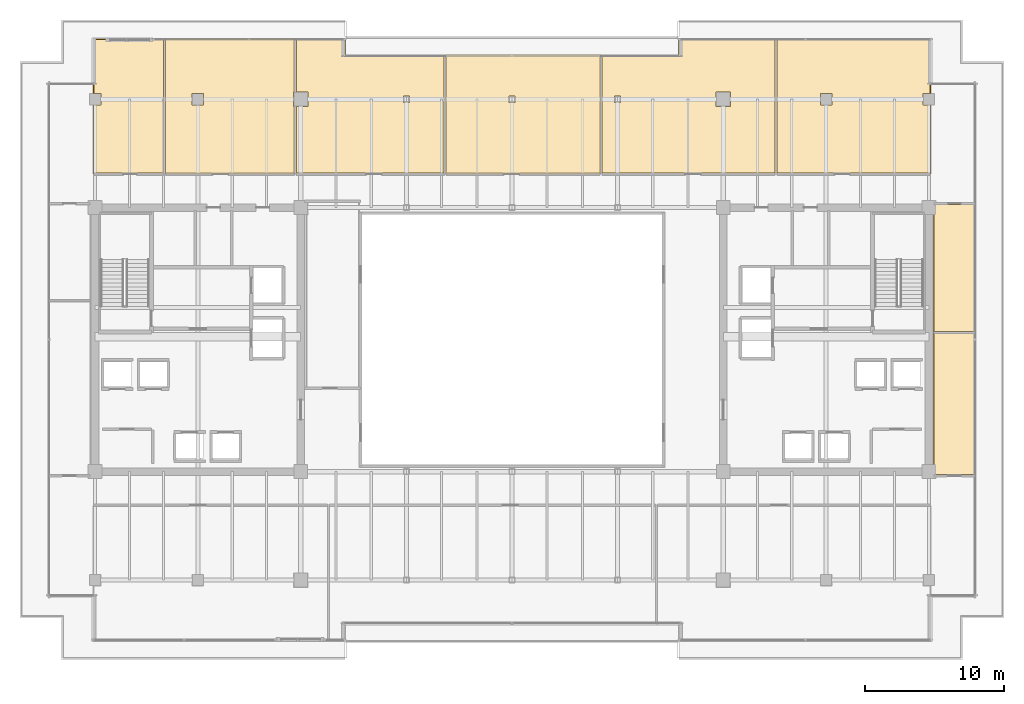
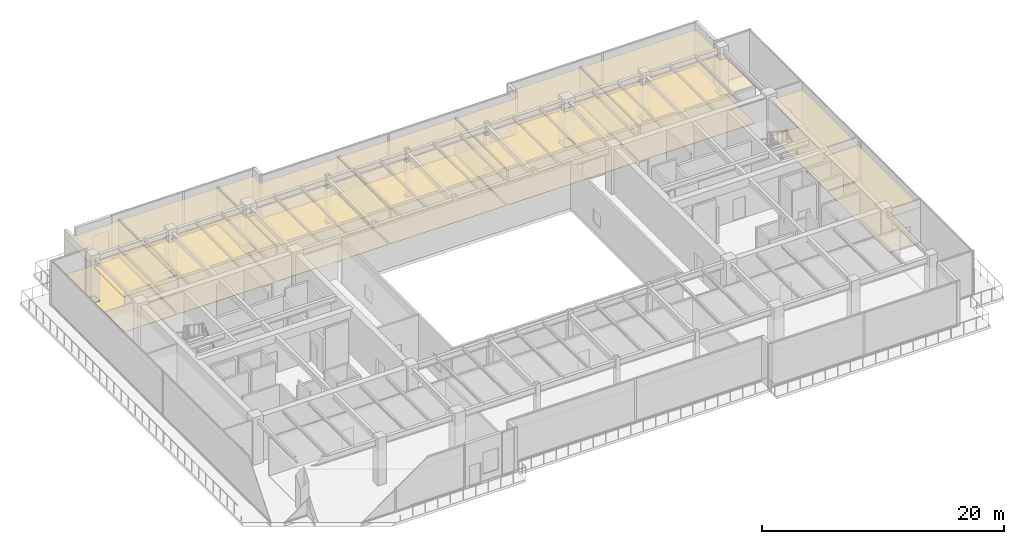
# One storey, part 37 of 37: 16 coverings.
"""IFC4 building model written with IfcOpenShell, lengths in metres."""

from ifc_helpers import new_model, si_unit, direction, frame, origin, place, context, subcontext, project, spatial, polyline, outline, extrude, material, layer, layer_set, type_object, element, save


model = new_model("IFC4")

# Units and contexts
model_context = context("Model", 3, precision=1e-05, world=origin(), true_north=direction((0.0, 1.0)))
body_context = subcontext(model_context, "Body", "Model", "MODEL_VIEW")
ifc_project = project(units=[si_unit("LENGTHUNIT", "METRE"), si_unit("AREAUNIT", "SQUARE_METRE"), si_unit("VOLUMEUNIT", "CUBIC_METRE"), si_unit("PLANEANGLEUNIT", "RADIAN"), si_unit("MASSUNIT", "GRAM", prefix="KILO")], contexts=[model_context])

# Site, building, storey
site_placement = place(None, origin())
site = spatial("IfcSite", under=ifc_project, at=site_placement, CompositionType="ELEMENT")
building_placement = place(site_placement, origin())
building = spatial("IfcBuilding", under=site, at=building_placement, Name="Haelvirn Gate Laboratories", CompositionType="ELEMENT")
storey_placement = place(building_placement, frame((0.0, 0.0, 196.60009765625)))
storey = spatial("IfcBuildingStorey", under=building, at=storey_placement, Name="L47", CompositionType="ELEMENT", Elevation=196.60009765625)

# Coverings
ifc_material_1 = material(Name="Washable cleanroom gasketed aluminium ceiling", Category="aluminium")
ifc_layer_1 = layer(ifc_material_1, 0.050048828125, Name="COV-CEIL-CLN")
ifc_layer_set_1 = layer_set([ifc_layer_1], Name="Washable cleanroom gasketed aluminium ceiling")
covering_type_1 = type_object("IfcCoveringType", Name="COV-CEIL-CLN", PredefinedType="CEILING", material=ifc_layer_set_1)
covering_1_placement = place(storey_placement, frame((0.0, 0.0, 3.56982421875)))
element("IfcCovering", 1, at=covering_1_placement, inside=storey, type_object=covering_type_1, Name="L47 Laboratory Acoustic Ceiling CEIL-SP-L47-N-01", PredefinedType="CEILING", context=body_context, shape_type="SweptSolid", body=[
    extrude(outline(polyline([(7.25, 45.949951171875), (12.3798828125, 45.949951171875), (12.3798828125, 36.219970703125), (7.25, 36.219970703125), (7.25, 41.179931640625), (7.820068359375, 41.179931640625), (7.820068359375, 42.02001953125), (7.25, 42.02001953125), (7.25, 45.949951171875)])), origin(), (0.0, 0.0, 1.0), 0.050048828125),
])
covering_2_placement = place(storey_placement, frame((0.0, 0.0, 3.56982421875)))
element("IfcCovering", 2, at=covering_2_placement, inside=storey, type_object=covering_type_1, Name="L47 Laboratory Acoustic Ceiling CEIL-SP-L47-N-02", PredefinedType="CEILING", context=body_context, shape_type="SweptSolid", body=[
    extrude(outline(polyline([(21.780029296875, 36.219970703125), (12.419921875, 36.219970703125), (12.419921875, 45.949951171875), (21.780029296875, 45.949951171875), (21.780029296875, 42.1201171875), (21.679931640625, 42.1201171875), (21.679931640625, 41.080078125), (21.780029296875, 41.080078125), (21.780029296875, 36.219970703125)]), holes=[polyline([(14.3798828125, 42.02001953125), (14.3798828125, 41.179931640625), (15.219970703125, 41.179931640625), (15.219970703125, 42.02001953125), (14.3798828125, 42.02001953125)])]), origin(), (0.0, 0.0, 1.0), 0.050048828125),
])
covering_3_placement = place(storey_placement, frame((0.0, 0.0, 3.56982421875)))
element("IfcCovering", 3, at=covering_3_placement, inside=storey, type_object=covering_type_1, Name="L47 Laboratory Acoustic Ceiling CEIL-SP-L47-N-03", PredefinedType="CEILING", context=body_context, shape_type="SweptSolid", body=[
    extrude(outline(polyline([(25.419921875, 45.949951171875), (25.419921875, 44.820068359375), (32.580078125, 44.820068359375), (32.580078125, 36.219970703125), (21.820068359375, 36.219970703125), (21.820068359375, 41.080078125), (22.719970703125, 41.080078125), (22.719970703125, 42.1201171875), (21.820068359375, 42.1201171875), (21.820068359375, 45.949951171875), (25.419921875, 45.949951171875)]), holes=[polyline([(30.02001953125, 41.820068359375), (29.580078125, 41.820068359375), (29.580078125, 41.3798828125), (30.02001953125, 41.3798828125), (30.02001953125, 41.820068359375)])]), origin(), (0.0, 0.0, 1.0), 0.050048828125),
])
covering_4_placement = place(storey_placement, frame((0.0, 0.0, 3.56982421875)))
element("IfcCovering", 4, at=covering_4_placement, inside=storey, type_object=covering_type_1, Name="L47 Laboratory Acoustic Ceiling CEIL-SP-L47-N-04", PredefinedType="CEILING", context=body_context, shape_type="SweptSolid", body=[
    extrude(outline(polyline([(43.780029296875, 44.820068359375), (43.780029296875, 36.219970703125), (32.6201171875, 36.219970703125), (32.6201171875, 44.820068359375), (43.780029296875, 44.820068359375)]), holes=[polyline([(37.6201171875, 41.820068359375), (37.179931640625, 41.820068359375), (37.179931640625, 41.3798828125), (37.6201171875, 41.3798828125), (37.6201171875, 41.820068359375)])]), origin(), (0.0, 0.0, 1.0), 0.050048828125),
])
covering_5_placement = place(storey_placement, frame((0.0, 0.0, 3.56982421875)))
element("IfcCovering", 5, at=covering_5_placement, inside=storey, type_object=covering_type_1, Name="L47 Laboratory Acoustic Ceiling CEIL-SP-L47-N-05", PredefinedType="CEILING", context=body_context, shape_type="SweptSolid", body=[
    extrude(outline(polyline([(49.3798828125, 45.949951171875), (56.3798828125, 45.949951171875), (56.3798828125, 36.219970703125), (43.820068359375, 36.219970703125), (43.820068359375, 44.820068359375), (49.3798828125, 44.820068359375), (49.3798828125, 45.949951171875)]), holes=[polyline([(52.080078125, 42.1201171875), (52.080078125, 41.080078125), (53.1201171875, 41.080078125), (53.1201171875, 42.1201171875), (52.080078125, 42.1201171875)]), polyline([(45.219970703125, 41.820068359375), (44.780029296875, 41.820068359375), (44.780029296875, 41.3798828125), (45.219970703125, 41.3798828125), (45.219970703125, 41.820068359375)])]), origin(), (0.0, 0.0, 1.0), 0.050048828125),
])
covering_6_placement = place(storey_placement, frame((0.0, 0.0, 3.56982421875)))
element("IfcCovering", 6, at=covering_6_placement, inside=storey, type_object=covering_type_1, Name="L47 Laboratory Acoustic Ceiling CEIL-SP-L47-N-06", PredefinedType="CEILING", context=body_context, shape_type="SweptSolid", body=[
    extrude(outline(polyline([(67.550048828125, 36.219970703125), (56.419921875, 36.219970703125), (56.419921875, 45.949951171875), (67.550048828125, 45.949951171875), (67.550048828125, 42.02001953125), (66.97998046875, 42.02001953125), (66.97998046875, 41.179931640625), (67.550048828125, 41.179931640625), (67.550048828125, 36.219970703125)]), holes=[polyline([(59.580078125, 42.02001953125), (59.580078125, 41.179931640625), (60.419921875, 41.179931640625), (60.419921875, 42.02001953125), (59.580078125, 42.02001953125)])]), origin(), (0.0, 0.0, 1.0), 0.050048828125),
])
covering_7_placement = place(storey_placement, frame((0.0, 0.0, 3.56982421875)))
element("IfcCovering", 7, at=covering_7_placement, inside=storey, type_object=covering_type_1, Name="L47 Laboratory Acoustic Ceiling CEIL-SP-L47-EZ3-S", PredefinedType="CEILING", context=body_context, shape_type="SweptSolid", body=[
    extrude(outline(polyline([(70.75, 24.7900390625), (70.75, 14.52490234375), (67.919921875, 14.52490234375), (67.919921875, 15.320068359375), (67.719970703125, 15.320068359375), (67.719970703125, 24.7900390625), (70.75, 24.7900390625)])), origin(), (0.0, 0.0, 1.0), 0.050048828125),
])
covering_8_placement = place(storey_placement, frame((0.0, 0.0, 3.56982421875)))
element("IfcCovering", 8, at=covering_8_placement, inside=storey, type_object=covering_type_1, Name="L47 Laboratory Acoustic Ceiling CEIL-SP-L47-EZ3-N", PredefinedType="CEILING", context=body_context, shape_type="SweptSolid", body=[
    extrude(outline(polyline([(70.75, 34.074951171875), (70.75, 24.81005859375), (67.719970703125, 24.81005859375), (67.719970703125, 33.280029296875), (67.919921875, 33.280029296875), (67.919921875, 34.074951171875), (70.75, 34.074951171875)])), origin(), (0.0, 0.0, 1.0), 0.050048828125),
])
ifc_material_2 = material(Name="Honed granite concourse terrazzo flooring", Category="masonry")
ifc_layer_2 = layer(ifc_material_2, 0.02490234375, Name="COV-FLR-TERRA")
ifc_layer_set_2 = layer_set([ifc_layer_2], Name="Honed granite concourse terrazzo flooring")
covering_type_2 = type_object("IfcCoveringType", Name="COV-FLR-TERRA", PredefinedType="FLOORING", material=ifc_layer_set_2)
covering_9_placement = place(storey_placement, origin())
element("IfcCovering", 9, at=covering_9_placement, inside=storey, type_object=covering_type_2, Name="L47 Seamless Laboratory Flooring FLR-SP-L47-N-01", PredefinedType="FLOORING", context=body_context, shape_type="SweptSolid", body=[
    extrude(outline(polyline([(7.820068359375, 41.179931640625), (7.820068359375, 42.02001953125), (7.31005859375, 42.02001953125), (7.31005859375, 45.889892578125), (12.320068359375, 45.889892578125), (12.320068359375, 36.280029296875), (7.31005859375, 36.280029296875), (7.31005859375, 41.179931640625), (7.820068359375, 41.179931640625)])), origin(), (0.0, 0.0, 1.0), 0.02490234375),
])
covering_10_placement = place(storey_placement, origin())
element("IfcCovering", 10, at=covering_10_placement, inside=storey, type_object=covering_type_2, Name="L47 Seamless Laboratory Flooring FLR-SP-L47-N-02", PredefinedType="FLOORING", context=body_context, shape_type="SweptSolid", body=[
    extrude(outline(polyline([(21.719970703125, 42.1201171875), (21.679931640625, 42.1201171875), (21.679931640625, 41.080078125), (21.719970703125, 41.080078125), (21.719970703125, 36.280029296875), (12.47998046875, 36.280029296875), (12.47998046875, 45.889892578125), (21.719970703125, 45.889892578125), (21.719970703125, 42.1201171875)]), holes=[polyline([(14.3798828125, 41.179931640625), (15.219970703125, 41.179931640625), (15.219970703125, 42.02001953125), (14.3798828125, 42.02001953125), (14.3798828125, 41.179931640625)])]), origin(), (0.0, 0.0, 1.0), 0.02490234375),
])
covering_11_placement = place(storey_placement, origin())
element("IfcCovering", 11, at=covering_11_placement, inside=storey, type_object=covering_type_2, Name="L47 Seamless Laboratory Flooring FLR-SP-L47-N-03", PredefinedType="FLOORING", context=body_context, shape_type="SweptSolid", body=[
    extrude(outline(polyline([(22.719970703125, 41.080078125), (22.719970703125, 42.1201171875), (21.8798828125, 42.1201171875), (21.8798828125, 45.889892578125), (25.360107421875, 45.889892578125), (25.360107421875, 44.800048828125), (25.360107421875, 44.796142578125), (25.36083984375, 44.792236328125), (25.36181640625, 44.788330078125), (25.363037109375, 44.78466796875), (25.36474609375, 44.781005859375), (25.36669921875, 44.77783203125), (25.369140625, 44.774658203125), (25.37158203125, 44.771728515625), (25.37451171875, 44.76904296875), (25.377685546875, 44.7666015625), (25.381103515625, 44.7646484375), (25.384765625, 44.762939453125), (25.388427734375, 44.76171875), (25.39208984375, 44.7607421875), (25.39599609375, 44.76025390625), (25.39990234375, 44.760009765625), (32.52001953125, 44.760009765625), (32.52001953125, 36.280029296875), (21.8798828125, 36.280029296875), (21.8798828125, 41.080078125), (22.719970703125, 41.080078125)]), holes=[polyline([(29.580078125, 41.820068359375), (29.580078125, 41.3798828125), (30.02001953125, 41.3798828125), (30.02001953125, 41.820068359375), (29.580078125, 41.820068359375)])]), origin(), (0.0, 0.0, 1.0), 0.02490234375),
])
covering_12_placement = place(storey_placement, origin())
element("IfcCovering", 12, at=covering_12_placement, inside=storey, type_object=covering_type_2, Name="L47 Seamless Laboratory Flooring FLR-SP-L47-N-04", PredefinedType="FLOORING", context=body_context, shape_type="SweptSolid", body=[
    extrude(outline(polyline([(32.679931640625, 44.760009765625), (43.719970703125, 44.760009765625), (43.719970703125, 36.280029296875), (32.679931640625, 36.280029296875), (32.679931640625, 44.760009765625)]), holes=[polyline([(37.179931640625, 41.820068359375), (37.179931640625, 41.3798828125), (37.6201171875, 41.3798828125), (37.6201171875, 41.820068359375), (37.179931640625, 41.820068359375)])]), origin(), (0.0, 0.0, 1.0), 0.02490234375),
])
covering_13_placement = place(storey_placement, origin())
element("IfcCovering", 13, at=covering_13_placement, inside=storey, type_object=covering_type_2, Name="L47 Seamless Laboratory Flooring FLR-SP-L47-N-05", PredefinedType="FLOORING", context=body_context, shape_type="SweptSolid", body=[
    extrude(outline(polyline([(43.8798828125, 44.760009765625), (49.39990234375, 44.760009765625), (49.40380859375, 44.76025390625), (49.40771484375, 44.7607421875), (49.41162109375, 44.76171875), (49.415283203125, 44.762939453125), (49.4189453125, 44.7646484375), (49.422119140625, 44.7666015625), (49.42529296875, 44.76904296875), (49.42822265625, 44.771728515625), (49.430908203125, 44.774658203125), (49.433349609375, 44.77783203125), (49.435302734375, 44.781005859375), (49.43701171875, 44.78466796875), (49.438232421875, 44.788330078125), (49.439208984375, 44.792236328125), (49.439697265625, 44.796142578125), (49.43994140625, 44.800048828125), (49.43994140625, 45.889892578125), (56.320068359375, 45.889892578125), (56.320068359375, 36.280029296875), (43.8798828125, 36.280029296875), (43.8798828125, 44.760009765625)]), holes=[polyline([(52.080078125, 41.080078125), (53.1201171875, 41.080078125), (53.1201171875, 42.1201171875), (52.080078125, 42.1201171875), (52.080078125, 41.080078125)]), polyline([(44.780029296875, 41.820068359375), (44.780029296875, 41.3798828125), (45.219970703125, 41.3798828125), (45.219970703125, 41.820068359375), (44.780029296875, 41.820068359375)])]), origin(), (0.0, 0.0, 1.0), 0.02490234375),
])
covering_14_placement = place(storey_placement, origin())
element("IfcCovering", 14, at=covering_14_placement, inside=storey, type_object=covering_type_2, Name="L47 Seamless Laboratory Flooring FLR-SP-L47-N-06", PredefinedType="FLOORING", context=body_context, shape_type="SweptSolid", body=[
    extrude(outline(polyline([(67.489990234375, 42.02001953125), (66.97998046875, 42.02001953125), (66.97998046875, 41.179931640625), (67.489990234375, 41.179931640625), (67.489990234375, 36.280029296875), (56.47998046875, 36.280029296875), (56.47998046875, 45.889892578125), (67.489990234375, 45.889892578125), (67.489990234375, 42.02001953125)]), holes=[polyline([(59.580078125, 41.179931640625), (60.419921875, 41.179931640625), (60.419921875, 42.02001953125), (59.580078125, 42.02001953125), (59.580078125, 41.179931640625)])]), origin(), (0.0, 0.0, 1.0), 0.02490234375),
])
covering_15_placement = place(storey_placement, origin())
element("IfcCovering", 15, at=covering_15_placement, inside=storey, type_object=covering_type_2, Name="L47 Seamless Laboratory Flooring FLR-SP-L47-EZ3-S", PredefinedType="FLOORING", context=body_context, shape_type="SweptSolid", body=[
    extrude(outline(polyline([(67.780029296875, 24.72998046875), (70.68994140625, 24.72998046875), (70.68994140625, 14.5849609375), (67.780029296875, 14.5849609375), (67.780029296875, 24.72998046875)])), origin(), (0.0, 0.0, 1.0), 0.02490234375),
])
covering_16_placement = place(storey_placement, origin())
element("IfcCovering", 16, at=covering_16_placement, inside=storey, type_object=covering_type_2, Name="L47 Seamless Laboratory Flooring FLR-SP-L47-EZ3-N", PredefinedType="FLOORING", context=body_context, shape_type="SweptSolid", body=[
    extrude(outline(polyline([(67.780029296875, 34.014892578125), (70.68994140625, 34.014892578125), (70.68994140625, 24.8701171875), (67.780029296875, 24.8701171875), (67.780029296875, 34.014892578125)])), origin(), (0.0, 0.0, 1.0), 0.02490234375),
])

save(model, "model.ifc")
